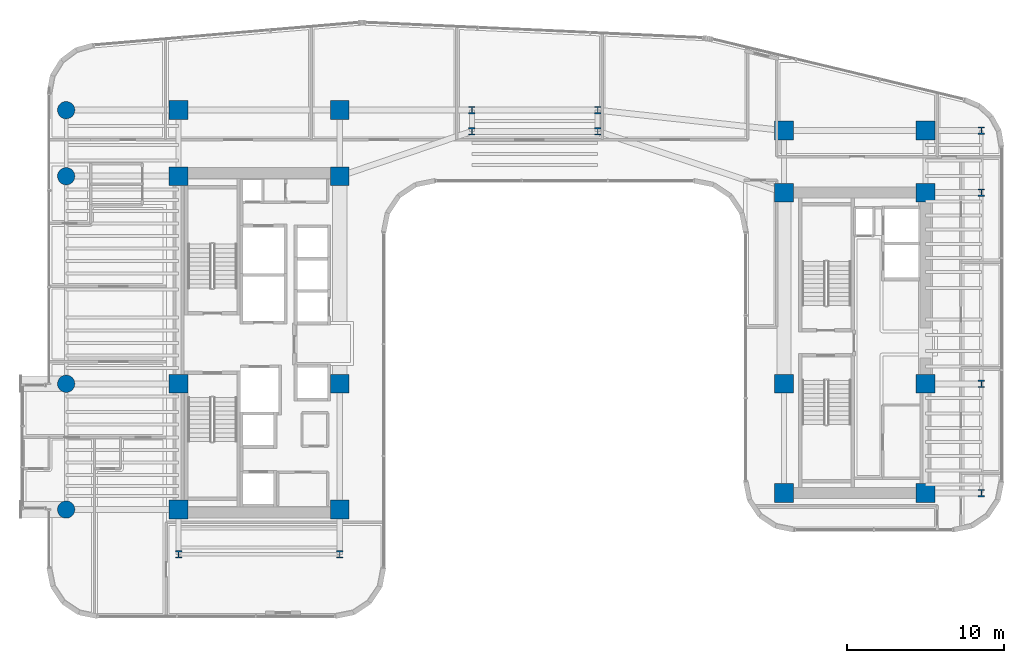
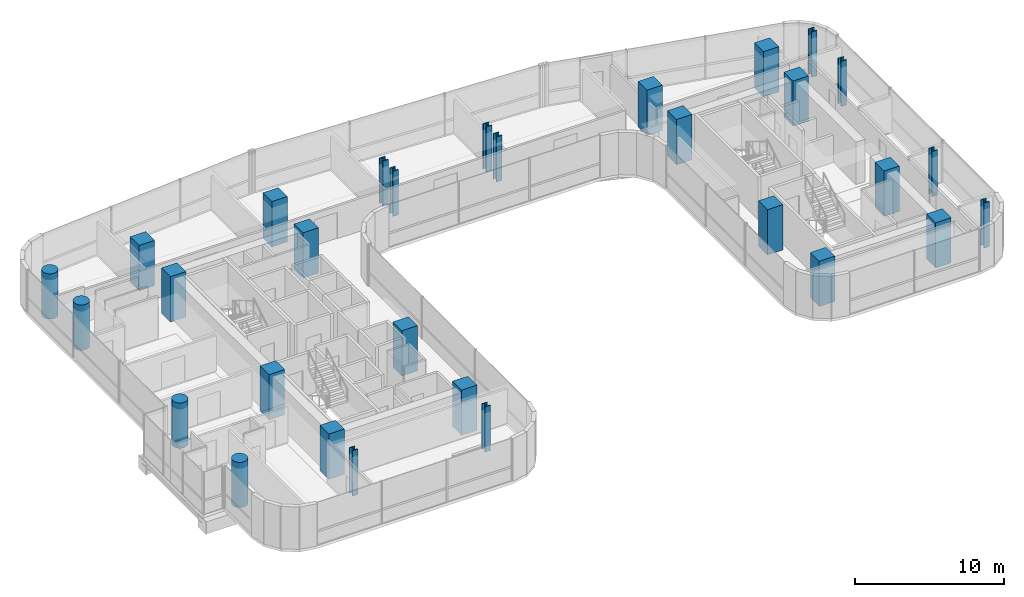
# One storey, part 1 of 37: 30 columns.
"""IFC4 building model written with IfcOpenShell, lengths in metres."""

from ifc_helpers import new_model, si_unit, direction, frame, origin, origin_2d, place, context, subcontext, project, spatial, rectangle, circle, i_section, extrude, source, transform, mapped, material, material_profile, profile_set, type_object, element, save


model = new_model("IFC4")

# Units and contexts
model_context = context("Model", 3, precision=1e-05, world=origin(), true_north=direction((0.0, 1.0)))
body_context = subcontext(model_context, "Body", "Model", "MODEL_VIEW")
ifc_project = project(units=[si_unit("LENGTHUNIT", "METRE"), si_unit("AREAUNIT", "SQUARE_METRE"), si_unit("VOLUMEUNIT", "CUBIC_METRE"), si_unit("PLANEANGLEUNIT", "RADIAN"), si_unit("MASSUNIT", "GRAM", prefix="KILO")], contexts=[model_context])

# Site, building, storey
site_placement = place(None, origin())
site = spatial("IfcSite", under=ifc_project, at=site_placement, CompositionType="ELEMENT")
building_placement = place(site_placement, origin())
building = spatial("IfcBuilding", under=site, at=building_placement, Name="Valdorenza Pilgrim Sanctuary Tower", CompositionType="ELEMENT")
storey_placement = place(building_placement, frame((0.0, 0.0, 135.300048828125)))
storey = spatial("IfcBuildingStorey", under=building, at=storey_placement, Name="L34", CompositionType="ELEMENT", Elevation=135.300048828125)

# Columns
ifc_material_1 = material(Name="Concrete C50/60", Category="concrete")
ifc_material_profile_1 = material_profile(ifc_material_1, circle(Radius=0.550048828125, at=origin_2d()), Name="RC D1100")
ifc_profile_set_1 = profile_set([ifc_material_profile_1], Name="Concrete C50/60")
column_type_1 = type_object("IfcColumnType", Name="COL-RND-1100", PredefinedType="COLUMN", material=ifc_profile_set_1)
shared_shape_1 = source(origin(), body_context, "Body", "SweptSolid", [
    extrude(circle(Radius=0.550048828125, at=origin_2d()), origin(), (0.0, 0.0, 1.0), 3.699951171875),
])
for number, where, z_axis, x_axis, name in (
    (1, (-29.800048828125, -10.60009765625, 0.0), (0.0, 0.0, 1.0), (1.0, 0.0, 0.0), "L34 Perimeter Column WA-W-S1"),
    (2, (-29.800048828125, -2.60009765625, 0.0), (0.0, 0.0, 1.0), (1.0, 0.0, 0.0), "L34 Perimeter Column WA-W-M0"),
    (3, (-29.800048828125, 10.60009765625, 0.0), (0.0, 0.0, 1.0), (1.0, 0.0, 0.0), "L34 Perimeter Column WA-W-N1"),
    (4, (-29.800048828125, 14.800048828125, 0.0), (0.0, 0.0, 1.0), (1.0, 0.0, 0.0), "L34 Perimeter Column WA-W-N2"),
):
    element("IfcColumn", number, at=place(storey_placement, frame(where, z_axis=z_axis, x_axis=x_axis)), inside=storey, type_object=column_type_1, Name=name, PredefinedType="COLUMN", context=body_context, shape_type="MappedRepresentation", body=[
        mapped(shared_shape_1, transform((0.0, 0.0, 0.0), x_axis=(1.0, 0.0, 0.0), y_axis=(0.0, 1.0, 0.0), z_axis=(0.0, 0.0, 1.0), scale=1.0)),
    ])
ifc_material_2 = material(Name="Concrete C60/75", Category="concrete")
ifc_material_profile_2 = material_profile(ifc_material_2, rectangle(XDim=1.199951171875, YDim=1.199951171875, at=origin_2d()), Name="RC 1200x1200")
ifc_profile_set_2 = profile_set([ifc_material_profile_2], Name="Concrete C60/75")
column_type_2 = type_object("IfcColumnType", Name="COL-Z2-1200", PredefinedType="COLUMN", material=ifc_profile_set_2)
shared_shape_2 = source(origin(), body_context, "Body", "SweptSolid", [
    extrude(rectangle(XDim=1.199951171875, YDim=1.199951171875, at=origin_2d()), origin(), (0.0, 0.0, 1.0), 3.699951171875),
])
for number, where, z_axis, x_axis, name in (
    (5, (-22.64990234375, -10.60009765625, 0.0), (0.0, 0.0, 1.0), (1.0, 0.0, 0.0), "L34 Column CA-W-S1"),
    (6, (-12.39990234375, -10.60009765625, 0.0), (0.0, 0.0, 1.0), (1.0, 0.0, 0.0), "L34 Column CA-E-S1"),
    (7, (-22.64990234375, -2.60009765625, 0.0), (0.0, 0.0, 1.0), (1.0, 0.0, 0.0), "L34 Column CA-W-M0"),
    (8, (-12.39990234375, -2.60009765625, 0.0), (0.0, 0.0, 1.0), (1.0, 0.0, 0.0), "L34 Column CA-E-M0"),
    (9, (-22.64990234375, 10.60009765625, 0.0), (0.0, 0.0, 1.0), (1.0, 0.0, 0.0), "L34 Column CA-W-N1"),
    (10, (-12.39990234375, 10.60009765625, 0.0), (0.0, 0.0, 1.0), (1.0, 0.0, 0.0), "L34 Column CA-E-N1"),
    (11, (-22.64990234375, 14.800048828125, 0.0), (0.0, 0.0, 1.0), (1.0, 0.0, 0.0), "L34 Column CA-W-N2"),
    (12, (-12.39990234375, 14.800048828125, 0.0), (0.0, 0.0, 1.0), (1.0, 0.0, 0.0), "L34 Column CA-E-N2"),
    (13, (15.85009765625, -9.550048828125, 0.0), (0.0, 0.0, 1.0), (1.0, 0.0, 0.0), "L34 Column CB-W-S1"),
    (14, (24.85009765625, -9.550048828125, 0.0), (0.0, 0.0, 1.0), (1.0, 0.0, 0.0), "L34 Column CB-E-S1"),
    (15, (15.85009765625, -2.60009765625, 0.0), (0.0, 0.0, 1.0), (1.0, 0.0, 0.0), "L34 Column CB-W-M0"),
    (16, (24.85009765625, -2.60009765625, 0.0), (0.0, 0.0, 1.0), (1.0, 0.0, 0.0), "L34 Column CB-E-M0"),
    (17, (15.85009765625, 9.550048828125, 0.0), (0.0, 0.0, 1.0), (1.0, 0.0, 0.0), "L34 Column CB-W-N1"),
    (18, (24.85009765625, 9.550048828125, 0.0), (0.0, 0.0, 1.0), (1.0, 0.0, 0.0), "L34 Column CB-E-N1"),
    (19, (15.85009765625, 13.5, 0.0), (0.0, 0.0, 1.0), (1.0, 0.0, 0.0), "L34 Column CB-W-N2"),
    (20, (24.85009765625, 13.5, 0.0), (0.0, 0.0, 1.0), (1.0, 0.0, 0.0), "L34 Column CB-E-N2"),
):
    element("IfcColumn", number, at=place(storey_placement, frame(where, z_axis=z_axis, x_axis=x_axis)), inside=storey, type_object=column_type_2, Name=name, PredefinedType="COLUMN", context=body_context, shape_type="MappedRepresentation", body=[
        mapped(shared_shape_2, transform((0.0, 0.0, 0.0), x_axis=(1.0, 0.0, 0.0), y_axis=(0.0, 1.0, 0.0), z_axis=(0.0, 0.0, 1.0), scale=1.0)),
    ])
ifc_material_3 = material(Name="Steel ASTM A992 Grade 50", Category="steel")
ifc_material_profile_3 = material_profile(ifc_material_3, i_section(OverallWidth=0.424072265625, OverallDepth=0.47412109375, WebThickness=0.047607421875, FlangeThickness=0.0771484375, at=origin_2d()), Name="W14X426")
ifc_profile_set_3 = profile_set([ifc_material_profile_3], Name="Steel ASTM A992 Grade 50")
column_type_3 = type_object("IfcColumnType", Name="COL-STL-W426", PredefinedType="COLUMN", material=ifc_profile_set_3)
shared_shape_3 = source(origin(), body_context, "Body", "SweptSolid", [
    extrude(i_section(OverallWidth=0.424072265625, OverallDepth=0.47412109375, WebThickness=0.047607421875, FlangeThickness=0.0771484375, at=origin_2d()), origin(), (0.0, 0.0, 1.0), 3.699951171875),
])
for number, where, z_axis, x_axis, name in (
    (21, (-22.64990234375, -13.449951171875, 0.0), (0.0, 0.0, 1.0), (1.0, 0.0, 0.0), "L34 Column WA-S-W"),
    (22, (-12.39990234375, -13.449951171875, 0.0), (0.0, 0.0, 1.0), (1.0, 0.0, 0.0), "L34 Column WA-S-E"),
    (23, (28.39990234375, -9.550048828125, 0.0), (0.0, 0.0, 1.0), (1.0, 0.0, 0.0), "L34 Perimeter Column WB-E-S1"),
    (24, (28.39990234375, -2.60009765625, 0.0), (0.0, 0.0, 1.0), (1.0, 0.0, 0.0), "L34 Perimeter Column WB-E-M0"),
    (25, (28.39990234375, 9.550048828125, 0.0), (0.0, 0.0, 1.0), (1.0, 0.0, 0.0), "L34 Perimeter Column WB-E-N1"),
    (26, (28.39990234375, 13.5, 0.0), (0.0, 0.0, 1.0), (1.0, 0.0, 0.0), "L34 Perimeter Column WB-E-N2"),
    (27, (-4.0, 13.449951171875, 0.0), (0.0, 0.0, 1.0), (1.0, 0.0, 0.0), "L34 Column KNK-W1"),
    (28, (-4.0, 14.800048828125, 0.0), (0.0, 0.0, 1.0), (1.0, 0.0, 0.0), "L34 Column KNK-W2"),
    (29, (4.0, 13.449951171875, 0.0), (0.0, 0.0, 1.0), (1.0, 0.0, 0.0), "L34 Column KNK-E1"),
    (30, (4.0, 14.800048828125, 0.0), (0.0, 0.0, 1.0), (1.0, 0.0, 0.0), "L34 Column KNK-E2"),
):
    element("IfcColumn", number, at=place(storey_placement, frame(where, z_axis=z_axis, x_axis=x_axis)), inside=storey, type_object=column_type_3, Name=name, PredefinedType="COLUMN", context=body_context, shape_type="MappedRepresentation", body=[
        mapped(shared_shape_3, transform((0.0, 0.0, 0.0), x_axis=(1.0, 0.0, 0.0), y_axis=(0.0, 1.0, 0.0), z_axis=(0.0, 0.0, 1.0), scale=1.0)),
    ])

save(model, "model.ifc")
